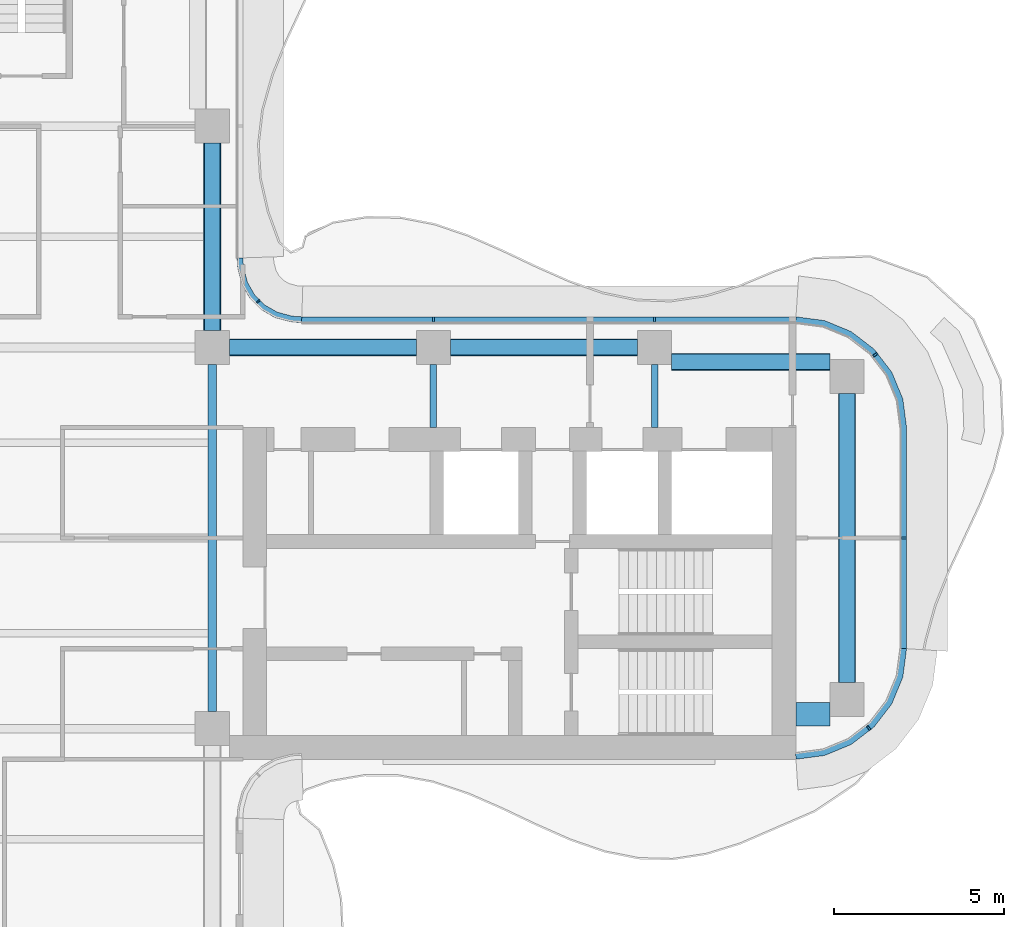
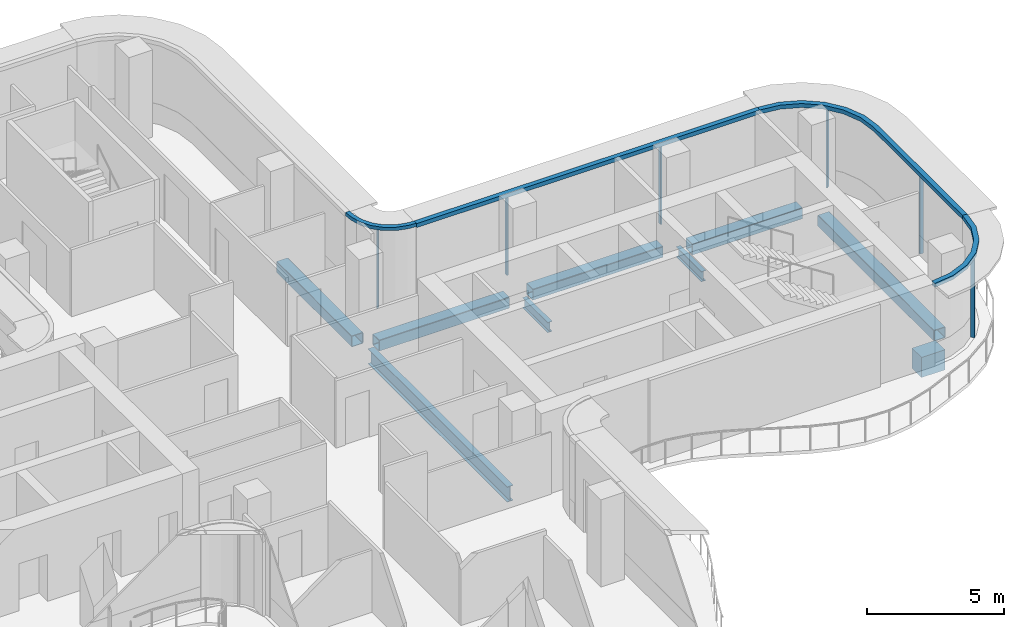
# One storey, part 6 of 17: 10 members, 9 beams, 4 elements without a shape of their own.
"""IFC4 building model written with IfcOpenShell, lengths in metres."""

from ifc_helpers import new_model, si_unit, direction, frame, origin, origin_2d, place, context, subcontext, project, spatial, polyline, rectangle, hollow_rectangle, i_section, outline, extrude, source, transform, mapped, material, layer, layer_set, material_profile, profile_set, type_object, element, aggregate, save


model = new_model("IFC4")

# Units and contexts
model_context = context("Model", 3, precision=1e-05, world=origin(), true_north=direction((0.0, 1.0)))
body_context = subcontext(model_context, "Body", "Model", "MODEL_VIEW")
ifc_project = project(units=[si_unit("LENGTHUNIT", "METRE"), si_unit("AREAUNIT", "SQUARE_METRE"), si_unit("VOLUMEUNIT", "CUBIC_METRE"), si_unit("PLANEANGLEUNIT", "RADIAN"), si_unit("MASSUNIT", "GRAM", prefix="KILO")], contexts=[model_context])

# Site, building, storey
site_placement = place(None, origin())
site = spatial("IfcSite", under=ifc_project, at=site_placement, CompositionType="ELEMENT")
building_placement = place(site_placement, origin())
building = spatial("IfcBuilding", under=site, at=building_placement, Name="Trellis Farm Tower", CompositionType="ELEMENT")
storey_placement = place(building_placement, frame((0.0, 0.0, 279.39990234375)))
storey = spatial("IfcBuildingStorey", under=building, at=storey_placement, Name="L62", CompositionType="ELEMENT", Elevation=279.39990234375)

# Beams
ifc_material_1 = material(Name="Steel S355", Category="steel")
ifc_material_profile_1 = material_profile(ifc_material_1, hollow_rectangle(XDim=0.5, YDim=0.5, WallThickness=0.02490234375, InnerFilletRadius=0.02490234375, OuterFilletRadius=0.03759765625, at=origin_2d()), Name="SHS 500x500x25")
ifc_profile_set_1 = profile_set([ifc_material_profile_1], Name="Steel S355")
beam_type_1 = type_object("IfcBeamType", Name="SHS 500x500x25", PredefinedType="BEAM", material=ifc_profile_set_1)
shared_shape_1 = source(origin(), body_context, "Body", "SweptSolid", [
    extrude(hollow_rectangle(XDim=0.5, YDim=0.5, WallThickness=0.02490234375, InnerFilletRadius=0.02490234375, OuterFilletRadius=0.03759765625, at=origin_2d()), origin(), (0.0, 0.0, 1.0), 5.5),
])
for number, where, z_axis, x_axis, name in (
    (1, (6.10009765625, 5.60009765625, -0.449951171875), (1.0, 0.0, 0.0), (0.0, 1.0, 0.0), "Girder"),
    (2, (12.60009765625, 5.60009765625, -0.449951171875), (1.0, 0.0, 0.0), (0.0, 1.0, 0.0), "Girder"),
    (3, (5.60009765625, 6.10009765625, -0.449951171875), (0.0, 1.0, 0.0), (-1.0, 0.0, 0.0), "Girder"),
):
    element("IfcBeam", number, at=place(storey_placement, frame(where, z_axis=z_axis, x_axis=x_axis)), inside=storey, type_object=beam_type_1, Name=name, PredefinedType="BEAM", context=body_context, shape_type="MappedRepresentation", body=[
        mapped(shared_shape_1, transform((0.0, 0.0, 0.0))),
    ])
ifc_material_profile_2 = material_profile(ifc_material_1, i_section(OverallWidth=0.253662109375, OverallDepth=0.68359375, WebThickness=0.012451171875, FlangeThickness=0.021728515625, FilletRadius=0.01513671875, at=origin_2d()), Name="UB 686x254x140")
ifc_profile_set_2 = profile_set([ifc_material_profile_2], Name="Steel S355")
beam_type_2 = type_object("IfcBeamType", Name="UB 686x254x140", PredefinedType="BEAM", material=ifc_profile_set_2)
shared_shape_2 = source(origin(), body_context, "Body", "SweptSolid", [
    extrude(i_section(OverallWidth=0.253662109375, OverallDepth=0.68359375, WebThickness=0.012451171875, FlangeThickness=0.021728515625, FilletRadius=0.01513671875, at=origin_2d()), origin(), (0.0, 0.0, 1.0), 10.2001953125),
])
beam_1_placement = place(storey_placement, frame((5.60009765625, -5.10009765625, -0.541748046875), z_axis=(0.0, 1.0, 0.0), x_axis=(-1.0, 0.0, 0.0)))
element("IfcBeam", 4, at=beam_1_placement, inside=storey, type_object=beam_type_2, Name="Girder", PredefinedType="BEAM", context=body_context, shape_type="MappedRepresentation", body=[
    mapped(shared_shape_2, transform((0.0, 0.0, 0.0))),
])
shared_shape_3 = source(origin(), body_context, "Body", "SweptSolid", [
    extrude(hollow_rectangle(XDim=0.5, YDim=0.5, WallThickness=0.02490234375, InnerFilletRadius=0.02490234375, OuterFilletRadius=0.03759765625, at=origin_2d()), origin(), (0.0, 0.0, 1.0), 8.5),
])
beam_2_placement = place(storey_placement, frame((24.25, -4.25, -0.449951171875), z_axis=(0.0, 1.0, 0.0), x_axis=(-1.0, 0.0, 0.0)))
element("IfcBeam", 5, at=beam_2_placement, inside=storey, type_object=beam_type_1, Name="Girder", PredefinedType="BEAM", context=body_context, shape_type="MappedRepresentation", body=[
    mapped(shared_shape_3, transform((0.0, 0.0, 0.0))),
])
ifc_material_profile_3 = material_profile(ifc_material_1, i_section(OverallWidth=0.1904296875, OverallDepth=0.45703125, WebThickness=0.009033203125, FlangeThickness=0.014404296875, FilletRadius=0.01025390625, at=origin_2d()), Name="UB 457x191x74")
ifc_profile_set_3 = profile_set([ifc_material_profile_3], Name="Steel S355")
beam_type_3 = type_object("IfcBeamType", Name="UB 457x191x74", PredefinedType="BEAM", material=ifc_profile_set_3)
shared_shape_4 = source(origin(), body_context, "Body", "SweptSolid", [
    extrude(i_section(OverallWidth=0.1904296875, OverallDepth=0.45703125, WebThickness=0.009033203125, FlangeThickness=0.014404296875, FilletRadius=0.01025390625, at=origin_2d()), origin(), (0.0, 0.0, 1.0), 1.85009765625),
])
for number, where, z_axis, x_axis, name in (
    (6, (12.10009765625, 3.25, -0.428466796875), (0.0, 1.0, 0.0), (-1.0, 0.0, 0.0), "Girder"),
    (7, (18.60009765625, 3.25, -0.428466796875), (0.0, 1.0, 0.0), (-1.0, 0.0, 0.0), "Girder"),
):
    element("IfcBeam", number, at=place(storey_placement, frame(where, z_axis=z_axis, x_axis=x_axis)), inside=storey, type_object=beam_type_3, Name=name, PredefinedType="BEAM", context=body_context, shape_type="MappedRepresentation", body=[
        mapped(shared_shape_4, transform((0.0, 0.0, 0.0))),
    ])
ifc_material_2 = material(Name="Concrete C60/75", Category="concrete")
ifc_material_profile_4 = material_profile(ifc_material_2, rectangle(XDim=0.699951171875, YDim=0.89990234375, at=origin_2d()), Name="RC spandrel beam 700x900 C60/75")
ifc_profile_set_4 = profile_set([ifc_material_profile_4], Name="Concrete C60/75")
beam_type_4 = type_object("IfcBeamType", Name="RC spandrel beam 700x900 C60/75", PredefinedType="SPANDREL", material=ifc_profile_set_4)
shared_shape_5 = source(origin(), body_context, "Body", "SweptSolid", [
    extrude(rectangle(XDim=0.699951171875, YDim=0.89990234375, at=origin_2d()), origin(), (0.0, 0.0, 1.0), 1.0),
])
beam_3_placement = place(storey_placement, frame((22.75, -5.175048828125, -0.64990234375), z_axis=(1.0, 0.0, 0.0), x_axis=(0.0, 1.0, 0.0)))
element("IfcBeam", 8, at=beam_3_placement, inside=storey, type_object=beam_type_4, Name="Girder", PredefinedType="SPANDREL", context=body_context, shape_type="MappedRepresentation", body=[
    mapped(shared_shape_5, transform((0.0, 0.0, 0.0))),
])
shared_shape_6 = source(origin(), body_context, "Body", "SweptSolid", [
    extrude(hollow_rectangle(XDim=0.5, YDim=0.5, WallThickness=0.02490234375, InnerFilletRadius=0.02490234375, OuterFilletRadius=0.03759765625, at=origin_2d()), origin(), (0.0, 0.0, 1.0), 4.64990234375),
])
beam_4_placement = place(storey_placement, frame((19.10009765625, 5.175048828125, -0.449951171875), z_axis=(1.0, 0.0, 0.0), x_axis=(0.0, 1.0, 0.0)))
element("IfcBeam", 9, at=beam_4_placement, inside=storey, type_object=beam_type_1, Name="Girder", PredefinedType="BEAM", context=body_context, shape_type="MappedRepresentation", body=[
    mapped(shared_shape_6, transform((0.0, 0.0, 0.0))),
])

# Curtain wall, member
ifc_material_3 = material(Name="Aluminium and glass curtain wall", Category="aluminium")
ifc_layer_1 = layer(ifc_material_3, 0.18994140625)
ifc_layer_set_1 = layer_set([ifc_layer_1], Name="RIBBON CURTAIN WALL CW1")
curtain_wall_type_1 = type_object("IfcCurtainWallType", Name="RIBBON CURTAIN WALL CW1", PredefinedType="NOTDEFINED", material=ifc_layer_set_1)
placement_1 = place(storey_placement, origin())
curtain_wall_1 = element("IfcCurtainWall", 10, at=placement_1, inside=storey, type_object=curtain_wall_type_1, Name="CW1 006", PredefinedType="NOTDEFINED")
ifc_material_4 = material(Name="Aluminium extrusion 6063-T6", Category="aluminium")
ifc_material_profile_5 = material_profile(ifc_material_4, rectangle(XDim=0.06005859375, YDim=0.14990234375, at=origin_2d()), Name="MULLION 60x150")
ifc_profile_set_5 = profile_set([ifc_material_profile_5], Name="Aluminium extrusion 6063-T6")
member_type_1 = type_object("IfcMemberType", Name="CW1 MULLION 60x150", PredefinedType="MULLION", material=ifc_profile_set_5)
shared_shape_7 = source(origin(), body_context, "Body", "SweptSolid", [
    extrude(rectangle(XDim=0.06005859375, YDim=0.14990234375, at=origin_2d()), origin(), (0.0, 0.0, 1.0), 3.52001953125),
])
member_1_placement = place(storey_placement, frame((24.885498046875, -5.578369140625, 0.0), z_axis=(0.0, 0.0, 1.0), x_axis=(0.793353340291, 0.608761429009, 0.0)))
member_1 = element("IfcMember", 11, at=member_1_placement, type_object=member_type_1, Name="MU1 006-01", PredefinedType="MULLION", context=body_context, shape_type="MappedRepresentation", body=[
    mapped(shared_shape_7, transform((0.0, 0.0, 0.0))),
])

# Curtain wall, members
curtain_wall_2 = element("IfcCurtainWall", 12, at=placement_1, inside=storey, type_object=curtain_wall_type_1, Name="CW1 007", PredefinedType="NOTDEFINED")
member_2_placement = place(storey_placement, frame((25.925048828125, 0.0, 0.0), z_axis=(0.0, 0.0, 1.0), x_axis=(0.0, 1.0, 0.0)))
member_2 = element("IfcMember", 13, at=member_2_placement, type_object=member_type_1, Name="MU1 007-01", PredefinedType="MULLION", context=body_context, shape_type="MappedRepresentation", body=[
    mapped(shared_shape_7, transform((0.0, 0.0, 0.0))),
])
member_3_placement = place(storey_placement, frame((25.078369140625, 5.385498046875, 0.0), z_axis=(0.0, 0.0, 1.0), x_axis=(-0.608761429009, 0.793353340291, 0.0)))
member_3 = element("IfcMember", 14, at=member_3_placement, type_object=member_type_1, Name="MU1 007-02", PredefinedType="MULLION", context=body_context, shape_type="MappedRepresentation", body=[
    mapped(shared_shape_7, transform((0.0, 0.0, 0.0))),
])

curtain_wall_3 = element("IfcCurtainWall", 15, at=placement_1, inside=storey, type_object=curtain_wall_type_1, Name="CW1 008", PredefinedType="NOTDEFINED")
member_4_placement = place(storey_placement, frame((18.60009765625, 6.425048828125, 0.0), z_axis=(0.0, 0.0, 1.0), x_axis=(-1.0, 0.0, 0.0)))
member_4 = element("IfcMember", 16, at=member_4_placement, type_object=member_type_1, Name="MU1 008-01", PredefinedType="MULLION", context=body_context, shape_type="MappedRepresentation", body=[
    mapped(shared_shape_7, transform((0.0, 0.0, 0.0))),
])
member_5_placement = place(storey_placement, frame((12.10009765625, 6.425048828125, 0.0), z_axis=(0.0, 0.0, 1.0), x_axis=(-1.0, 0.0, 0.0)))
member_5 = element("IfcMember", 17, at=member_5_placement, type_object=member_type_1, Name="MU1 008-02", PredefinedType="MULLION", context=body_context, shape_type="MappedRepresentation", body=[
    mapped(shared_shape_7, transform((0.0, 0.0, 0.0))),
])

ifc_layer_2 = layer(ifc_material_3, 0.166015625)
ifc_layer_set_2 = layer_set([ifc_layer_2], Name="WINTER GARDEN CURTAIN WALL CW3")
curtain_wall_type_2 = type_object("IfcCurtainWallType", Name="WINTER GARDEN CURTAIN WALL CW3", PredefinedType="NOTDEFINED", material=ifc_layer_set_2)
curtain_wall_4 = element("IfcCurtainWall", 18, at=placement_1, inside=storey, type_object=curtain_wall_type_2, Name="CW3 003", PredefinedType="NOTDEFINED")
ifc_material_profile_6 = material_profile(ifc_material_4, rectangle(XDim=0.050048828125, YDim=0.1201171875, at=origin_2d()), Name="MULLION 50x120")
ifc_profile_set_6 = profile_set([ifc_material_profile_6], Name="Aluminium extrusion 6063-T6")
member_type_2 = type_object("IfcMemberType", Name="CW3 MULLION 50x120", PredefinedType="MULLION", material=ifc_profile_set_6)
shared_shape_8 = source(origin(), body_context, "Body", "SweptSolid", [
    extrude(rectangle(XDim=0.050048828125, YDim=0.1201171875, at=origin_2d()), origin(), (0.0, 0.0, 1.0), 3.550048828125),
])
member_6_placement = place(storey_placement, frame((6.953125, 6.953125, 0.0), z_axis=(0.0, 0.0, 1.0), x_axis=(-0.707106781187, 0.707106781187, 0.0)))
member_6 = element("IfcMember", 19, at=member_6_placement, type_object=member_type_2, Name="MU3 003-01", PredefinedType="MULLION", context=body_context, shape_type="MappedRepresentation", body=[
    mapped(shared_shape_8, transform((0.0, 0.0, 0.0))),
])
ifc_layer_3 = layer(ifc_material_4, 0.169921875)
ifc_layer_set_3 = layer_set([ifc_layer_3], Name="Aluminium extrusion 6063-T6")
member_type_3 = type_object("IfcMemberType", Name="CW3 TRANSOM 170x150", PredefinedType="USERDEFINED", material=ifc_layer_set_3)
shared_shape_9 = source(origin(), body_context, "Body", "SweptSolid", [
    extrude(outline(polyline([(8.2314453125, 6.5), (8.01953125, 6.513916015625), (7.91552734375, 6.527587890625), (7.508544921875, 6.63671875), (7.144287109375, 6.846923828125), (6.846923828125, 7.144287109375), (6.63671875, 7.508544921875), (6.527587890625, 7.91552734375), (6.513916015625, 8.01953125), (6.5, 8.2314453125), (6.330078125, 8.225830078125), (6.3447265625, 8.0029296875), (6.360595703125, 7.88232421875), (6.478271484375, 7.44287109375), (6.7109375, 7.0400390625), (7.0400390625, 6.7109375), (7.44287109375, 6.478271484375), (7.88232421875, 6.360595703125), (8.0029296875, 6.3447265625), (8.225830078125, 6.330078125), (8.2314453125, 6.5)])), origin(), (0.0, 0.0, 1.0), 0.150146484375),
])
member_7_placement = place(storey_placement, frame((0.0, 0.0, 3.550048828125)))
member_7 = element("IfcMember", 20, at=member_7_placement, type_object=member_type_3, Name="TR3 003", ObjectType="TRANSOM", PredefinedType="USERDEFINED", context=body_context, shape_type="MappedRepresentation", body=[
    mapped(shared_shape_9, transform((0.0, 0.0, 0.0))),
])
aggregate(curtain_wall_4, [member_6, member_7])

# Member
ifc_layer_4 = layer(ifc_material_4, 0.199951171875)
ifc_layer_set_4 = layer_set([ifc_layer_4], Name="Aluminium extrusion 6063-T6")
member_type_4 = type_object("IfcMemberType", Name="CW1 TRANSOM 200x180", PredefinedType="USERDEFINED", material=ifc_layer_set_4)
shared_shape_10 = source(origin(), body_context, "Body", "SweptSolid", [
    extrude(outline(polyline([(22.75, -6.5), (23.591064453125, -6.38916015625), (24.375, -6.064697265625), (25.048095703125, -5.548095703125), (25.564697265625, -4.875), (25.88916015625, -4.091064453125), (26.0, -3.25), (25.800048828125, -3.23681640625), (25.6943359375, -4.0390625), (25.389892578125, -4.774169921875), (24.905517578125, -5.405517578125), (24.274169921875, -5.889892578125), (23.5390625, -6.1943359375), (22.73681640625, -6.300048828125), (22.75, -6.5)])), origin(), (0.0, 0.0, 1.0), 0.18017578125),
])
placement_2 = place(storey_placement, frame((0.0, 0.0, 3.52001953125)))
member_8 = element("IfcMember", 21, at=placement_2, type_object=member_type_4, Name="TR1 006", ObjectType="TRANSOM", PredefinedType="USERDEFINED", context=body_context, shape_type="MappedRepresentation", body=[
    mapped(shared_shape_10, transform((0.0, 0.0, 0.0))),
])

aggregate(curtain_wall_1, [member_1, member_8])

shared_shape_11 = source(origin(), body_context, "Body", "SweptSolid", [
    extrude(outline(polyline([(26.0, -3.25), (26.0, 3.25), (25.88916015625, 4.091064453125), (25.564697265625, 4.875), (25.048095703125, 5.548095703125), (24.375, 6.064697265625), (23.591064453125, 6.38916015625), (22.75, 6.5), (22.73681640625, 6.300048828125), (23.5390625, 6.1943359375), (24.274169921875, 5.889892578125), (24.905517578125, 5.405517578125), (25.389892578125, 4.774169921875), (25.6943359375, 4.0390625), (25.800048828125, 3.23681640625), (25.800048828125, -3.23681640625), (26.0, -3.25)])), origin(), (0.0, 0.0, 1.0), 0.18017578125),
])
member_9 = element("IfcMember", 22, at=placement_2, type_object=member_type_4, Name="TR1 007", ObjectType="TRANSOM", PredefinedType="USERDEFINED", context=body_context, shape_type="MappedRepresentation", body=[
    mapped(shared_shape_11, transform((0.0, 0.0, 0.0))),
])

aggregate(curtain_wall_2, [member_2, member_3, member_9])

shared_shape_12 = source(origin(), body_context, "Body", "SweptSolid", [
    extrude(outline(polyline([(22.75, 6.5), (8.2314453125, 6.5), (8.224853515625, 6.300048828125), (22.73681640625, 6.300048828125), (22.75, 6.5)])), origin(), (0.0, 0.0, 1.0), 0.18017578125),
])
member_10 = element("IfcMember", 23, at=placement_2, type_object=member_type_4, Name="TR1 008", ObjectType="TRANSOM", PredefinedType="USERDEFINED", context=body_context, shape_type="MappedRepresentation", body=[
    mapped(shared_shape_12, transform((0.0, 0.0, 0.0))),
])

aggregate(curtain_wall_3, [member_4, member_5, member_10])

save(model, "model.ifc")
